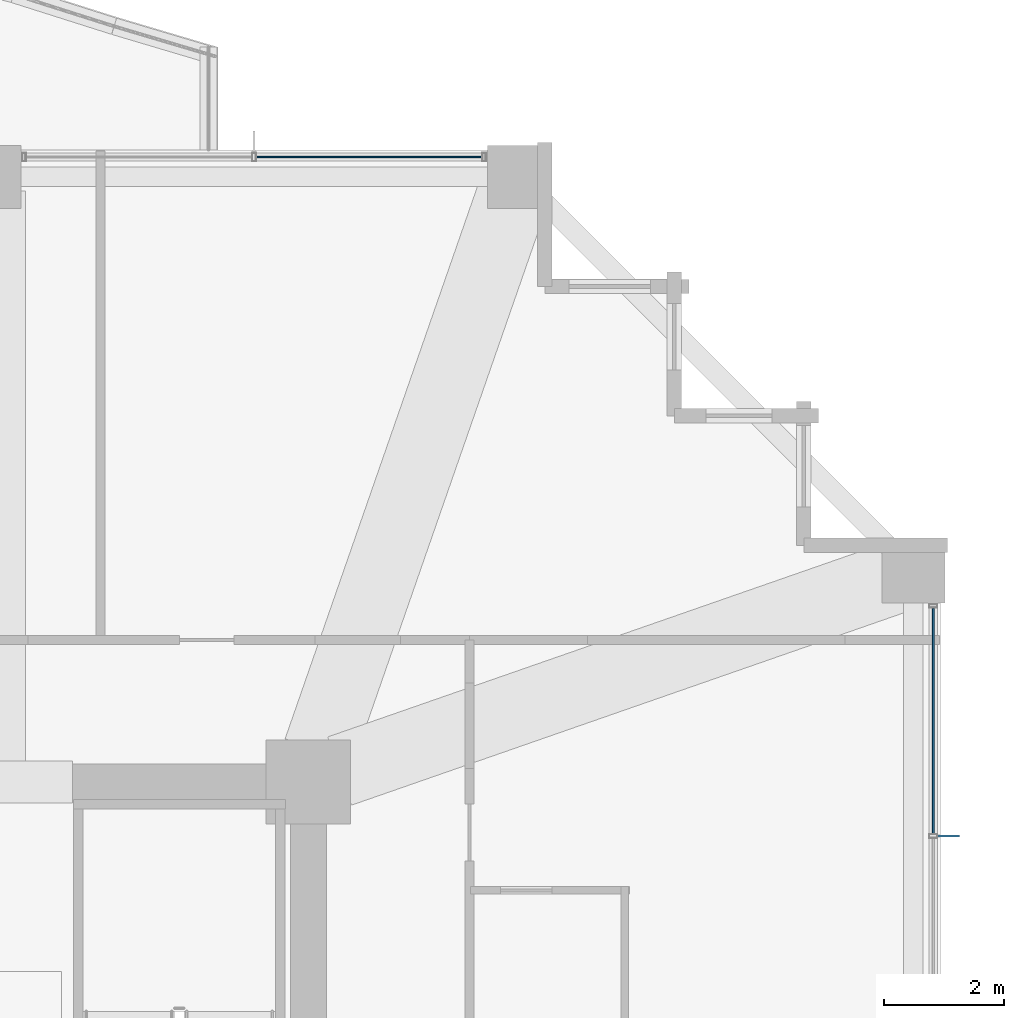
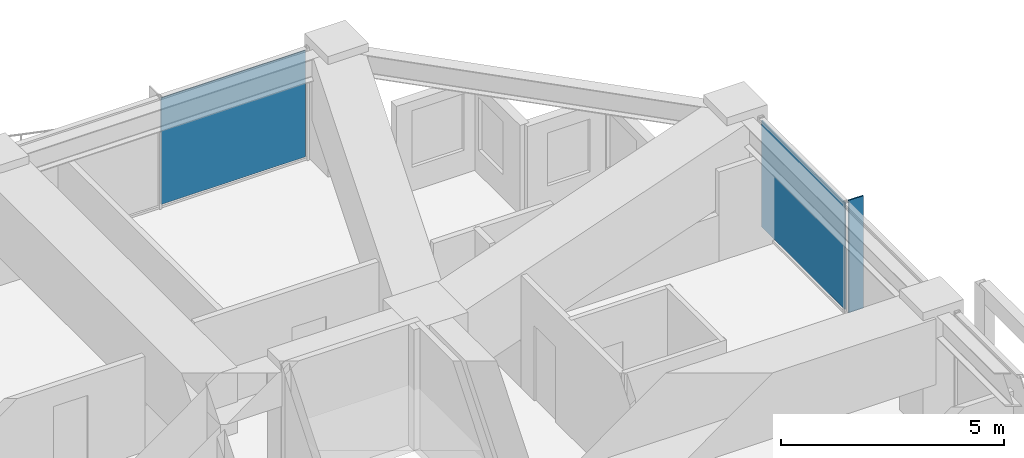
# One storey, part 32 of 39: 3 plates, 2 elements without a shape of their own.
"""IFC4 building model written with IfcOpenShell, lengths in metres."""

from ifc_helpers import new_model, si_unit, direction, frame, origin, origin_2d, place, context, subcontext, project, spatial, rectangle, extrude, material, layer, layer_set, type_object, element, aggregate, save


model = new_model("IFC4")

# Units and contexts
model_context = context("Model", 3, precision=1e-05, world=origin(), true_north=direction((0.0, 1.0)))
body_context = subcontext(model_context, "Body", "Model", "MODEL_VIEW")
ifc_project = project(units=[si_unit("LENGTHUNIT", "METRE"), si_unit("AREAUNIT", "SQUARE_METRE"), si_unit("VOLUMEUNIT", "CUBIC_METRE"), si_unit("PLANEANGLEUNIT", "RADIAN"), si_unit("MASSUNIT", "GRAM", prefix="KILO")], contexts=[model_context])

# Site, building, storey
site_placement = place(None, origin())
site = spatial("IfcSite", under=ifc_project, at=site_placement, CompositionType="ELEMENT")
building_placement = place(site_placement, origin())
building = spatial("IfcBuilding", under=site, at=building_placement, Name="Kolvaren Belvedere", CompositionType="ELEMENT")
storey_placement = place(building_placement, frame((0.0, 0.0, 85.39990234375)))
storey = spatial("IfcBuildingStorey", under=building, at=storey_placement, Name="L24", CompositionType="ELEMENT", Elevation=85.39990234375)

# Curtain wall, plate
ifc_material_1 = material(Name="Anodised pale-metal aluminium AA 6063-T6", Category="aluminium")
curtain_wall_type = type_object("IfcCurtainWallType", Name="CW-Z2-MID", PredefinedType="NOTDEFINED", material=ifc_material_1)
curtain_wall_1_placement = place(storey_placement, origin())
curtain_wall_1 = element("IfcCurtainWall", 1, at=curtain_wall_1_placement, inside=storey, type_object=curtain_wall_type, Name="L24 Unitised Curtain Wall FCW-L24-E-B1", PredefinedType="NOTDEFINED")
ifc_material_2 = material(Name="Low-iron triple insulated glass", Category="glass")
ifc_layer_1 = layer(ifc_material_2, 0.028076171875)
ifc_layer_set_1 = layer_set([ifc_layer_1], Name="Low-iron triple insulated glass")
plate_type_1 = type_object("IfcPlateType", Name="CW-PNL-VIS28", PredefinedType="CURTAIN_PANEL", material=ifc_layer_set_1)
plate_1_placement = place(storey_placement, frame((20.280029296875, 10.9111328125, 0.080078125), z_axis=(0.0, 0.0, 1.0), x_axis=(0.0, -1.0, 0.0)))
plate_1 = element("IfcPlate", 2, at=plate_1_placement, type_object=plate_type_1, Name="FCW-L24-E-B1 Vision Glazing Panel 1", PredefinedType="CURTAIN_PANEL", context=body_context, shape_type="SweptSolid", body=[
    extrude(rectangle(XDim=3.742431640625, YDim=0.028076171875, at=origin_2d()), origin(), (0.0, 0.0, 1.0), 2.919921875),
])
aggregate(curtain_wall_1, [plate_1])

curtain_wall_2_placement = place(storey_placement, origin())
curtain_wall_2 = element("IfcCurtainWall", 3, at=curtain_wall_2_placement, inside=storey, type_object=curtain_wall_type, Name="L24 Unitised Curtain Wall FCW-L24-N2-B2", PredefinedType="NOTDEFINED")
plate_2_placement = place(storey_placement, frame((10.9111328125, 20.280029296875, 0.080078125), z_axis=(0.0, 0.0, 1.0), x_axis=(1.0, 0.0, 0.0)))
plate_2 = element("IfcPlate", 4, at=plate_2_placement, type_object=plate_type_1, Name="FCW-L24-N2-B2 Vision Glazing Panel 2", PredefinedType="CURTAIN_PANEL", context=body_context, shape_type="SweptSolid", body=[
    extrude(rectangle(XDim=3.742431640625, YDim=0.028076171875, at=origin_2d()), origin(), (0.0, 0.0, 1.0), 2.919921875),
])
aggregate(curtain_wall_2, [plate_2])

# Plate
ifc_material_3 = material(Name="Anodised pale-metal aluminium AA 6063-T6", Category="aluminium")
ifc_layer_2 = layer(ifc_material_3, 0.033935546875)
ifc_layer_set_2 = layer_set([ifc_layer_2], Name="Anodised pale-metal aluminium AA 6063-T6")
plate_type_2 = type_object("IfcPlateType", Name="FIN-VERT-380", PredefinedType="USERDEFINED", material=ifc_layer_set_2)
plate_3_placement = place(storey_placement, frame((20.52490234375, 9.0, 0.0), z_axis=(0.0, 0.0, 1.0), x_axis=(1.0, 0.0, 0.0)))
element("IfcPlate", 5, at=plate_3_placement, inside=storey, type_object=plate_type_2, Name="L24 Pale-Metal Vertical Shading Fin FCW-L24-E-B1-1", ObjectType="VERTICAL FIN", PredefinedType="USERDEFINED", context=body_context, shape_type="SweptSolid", body=[
    extrude(rectangle(XDim=0.3798828125, YDim=0.033935546875, at=origin_2d()), origin(), (0.0, 0.0, 1.0), 3.080078125),
])

save(model, "model.ifc")
